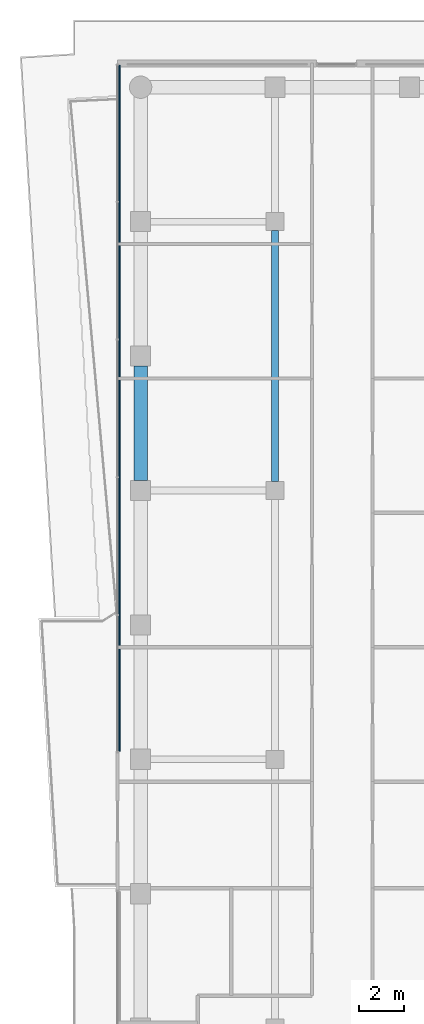
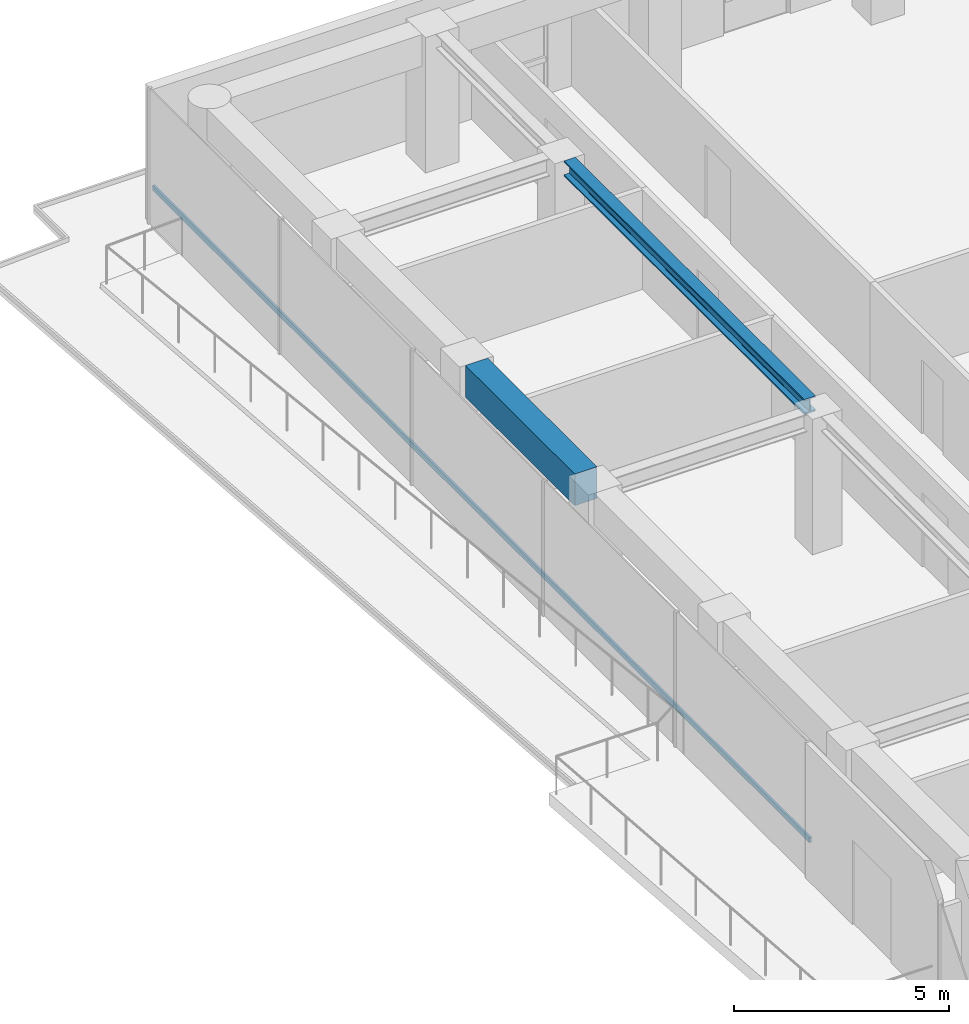
# One storey, part 13 of 23: 2 beams, 1 member, 1 element without a shape of its own.
"""IFC4 building model written with IfcOpenShell, lengths in metres."""

from ifc_helpers import new_model, si_unit, direction, frame, origin, origin_2d, place, context, subcontext, project, spatial, rectangle, i_section, extrude, material, layer, layer_set, material_profile, profile_set, type_object, element, aggregate, save


model = new_model("IFC4")

# Units and contexts
model_context = context("Model", 3, precision=1e-05, world=origin(), true_north=direction((0.0, 1.0)))
body_context = subcontext(model_context, "Body", "Model", "MODEL_VIEW")
ifc_project = project(units=[si_unit("LENGTHUNIT", "METRE"), si_unit("AREAUNIT", "SQUARE_METRE"), si_unit("VOLUMEUNIT", "CUBIC_METRE"), si_unit("PLANEANGLEUNIT", "RADIAN"), si_unit("MASSUNIT", "GRAM", prefix="KILO")], contexts=[model_context])

# Site, building, storey
site_placement = place(None, origin())
site = spatial("IfcSite", under=ifc_project, at=site_placement, CompositionType="ELEMENT")
building_placement = place(site_placement, origin())
building = spatial("IfcBuilding", under=site, at=building_placement, Name="Welwitschia Terrace Campus", CompositionType="ELEMENT")
storey_placement = place(building_placement, frame((0.0, 0.0, 96.199951171875)))
storey = spatial("IfcBuildingStorey", under=building, at=storey_placement, Name="L21", CompositionType="ELEMENT", Elevation=96.199951171875)

# Beams
ifc_material_1 = material(Name="Steel S355", Category="steel")
ifc_material_profile_1 = material_profile(ifc_material_1, i_section(OverallWidth=0.306884765625, OverallDepth=0.431884765625, WebThickness=0.02099609375, FlangeThickness=0.0400390625, FilletRadius=0.027099609375, at=origin_2d()))
ifc_profile_set_1 = profile_set([ifc_material_profile_1], Name="Steel S355")
beam_type_1 = type_object("IfcBeamType", Name="Interior girder HE 400 M", PredefinedType="BEAM", material=ifc_profile_set_1)
beam_1_placement = place(storey_placement, frame((6.0, 52.400390625, 3.634033203125), z_axis=(0.0, 1.0, 0.0), x_axis=(-1.0, 0.0, 0.0)))
element("IfcBeam", 1, at=beam_1_placement, inside=storey, type_object=beam_type_1, Name="Girder GB3", PredefinedType="BEAM", context=body_context, shape_type="SweptSolid", body=[
    extrude(i_section(OverallWidth=0.306884765625, OverallDepth=0.431884765625, WebThickness=0.02099609375, FlangeThickness=0.0400390625, FilletRadius=0.027099609375, at=origin_2d()), origin(), (0.0, 0.0, 1.0), 11.19921875),
])
ifc_material_2 = material(Name="Concrete C60/75", Category="concrete")
ifc_material_profile_2 = material_profile(ifc_material_2, rectangle(XDim=0.60009765625, YDim=0.89990234375, at=origin_2d()))
ifc_profile_set_2 = profile_set([ifc_material_profile_2], Name="Concrete C60/75")
beam_type_2 = type_object("IfcBeamType", Name="Ring spandrel 600x900", PredefinedType="SPANDREL", material=ifc_profile_set_2)
beam_2_placement = place(storey_placement, frame((0.0, 57.549560546875, 3.400146484375), z_axis=(0.0, -1.0, 0.0), x_axis=(1.0, 0.0, 0.0)))
element("IfcBeam", 2, at=beam_2_placement, inside=storey, type_object=beam_type_2, Name="Spandrel SP2", PredefinedType="SPANDREL", context=body_context, shape_type="SweptSolid", body=[
    extrude(rectangle(XDim=0.60009765625, YDim=0.89990234375, at=origin_2d()), origin(), (0.0, 0.0, 1.0), 5.09912109375),
])

# Curtain wall, member
ifc_material_3 = material(Name="Bronze anodised aluminium", Category="aluminium")
ifc_layer = layer(ifc_material_3, 0.1201171875)
ifc_layer_set = layer_set([ifc_layer], Name="Bronze anodised aluminium")
curtain_wall_type = type_object("IfcCurtainWallType", Name="Curtain wall CW2 tower 6000", PredefinedType="NOTDEFINED", material=ifc_layer_set)
curtain_wall_placement = place(storey_placement, origin())
curtain_wall = element("IfcCurtainWall", 3, at=curtain_wall_placement, inside=storey, type_object=curtain_wall_type, Name="CW L21.10.0", PredefinedType="NOTDEFINED")
ifc_material_4 = material(Name="Bronze anodised aluminium", Category="aluminium")
ifc_material_profile_3 = material_profile(ifc_material_4, rectangle(XDim=0.06005859375, YDim=0.14990234375, at=origin_2d()))
ifc_profile_set_3 = profile_set([ifc_material_profile_3], Name="Bronze anodised aluminium")
member_type = type_object("IfcMemberType", Name="Transom 60x150", PredefinedType="USERDEFINED", material=ifc_profile_set_3)
member_placement = place(storey_placement, frame((-0.93994140625, 70.969970703125, 1.0), z_axis=(0.0, -1.0, 0.0), x_axis=(1.0, 0.0, 0.0)))
member = element("IfcMember", 4, at=member_placement, type_object=member_type, Name="Transom L21.10.0", ObjectType="TRANSOM", PredefinedType="USERDEFINED", context=body_context, shape_type="SweptSolid", body=[
    extrude(rectangle(XDim=0.06005859375, YDim=0.14990234375, at=origin_2d()), origin(), (0.0, 0.0, 1.0), 30.6083984375),
])
aggregate(curtain_wall, [member])

save(model, "model.ifc")
